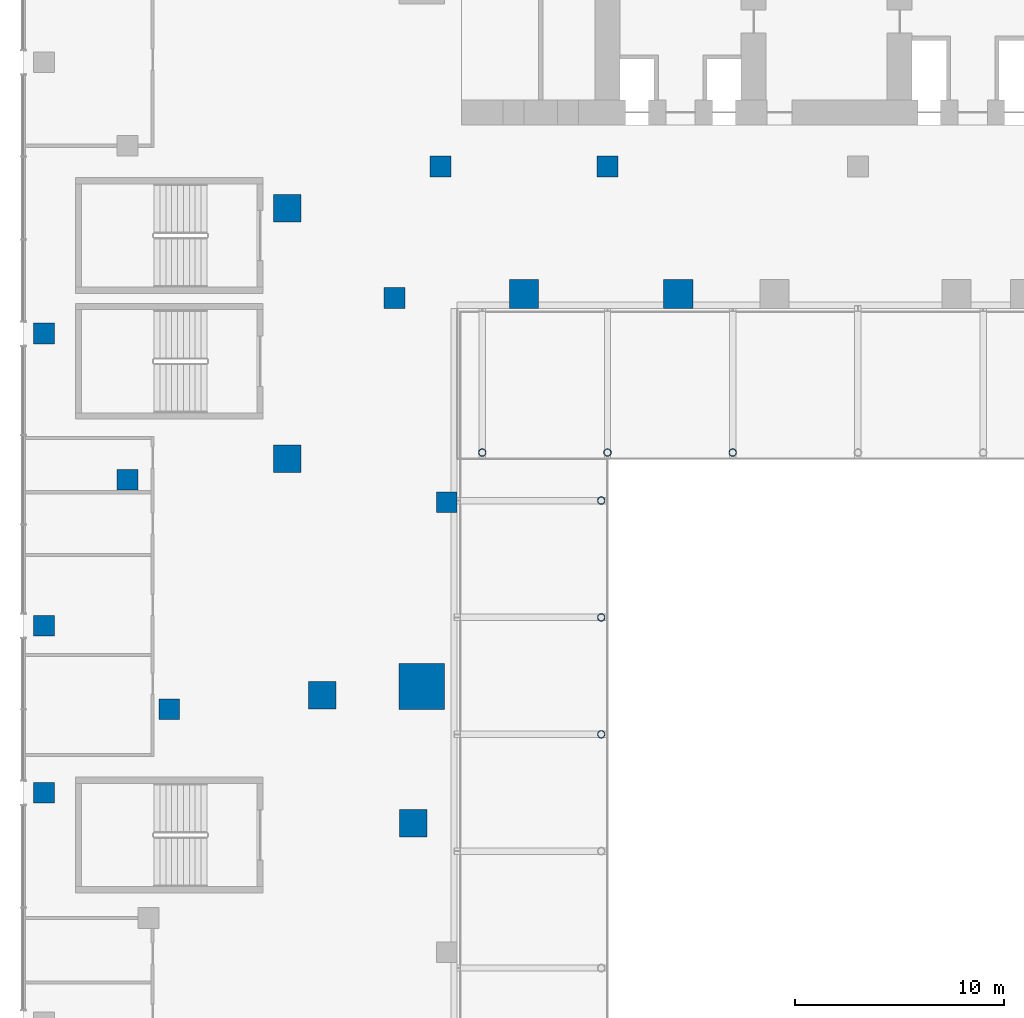
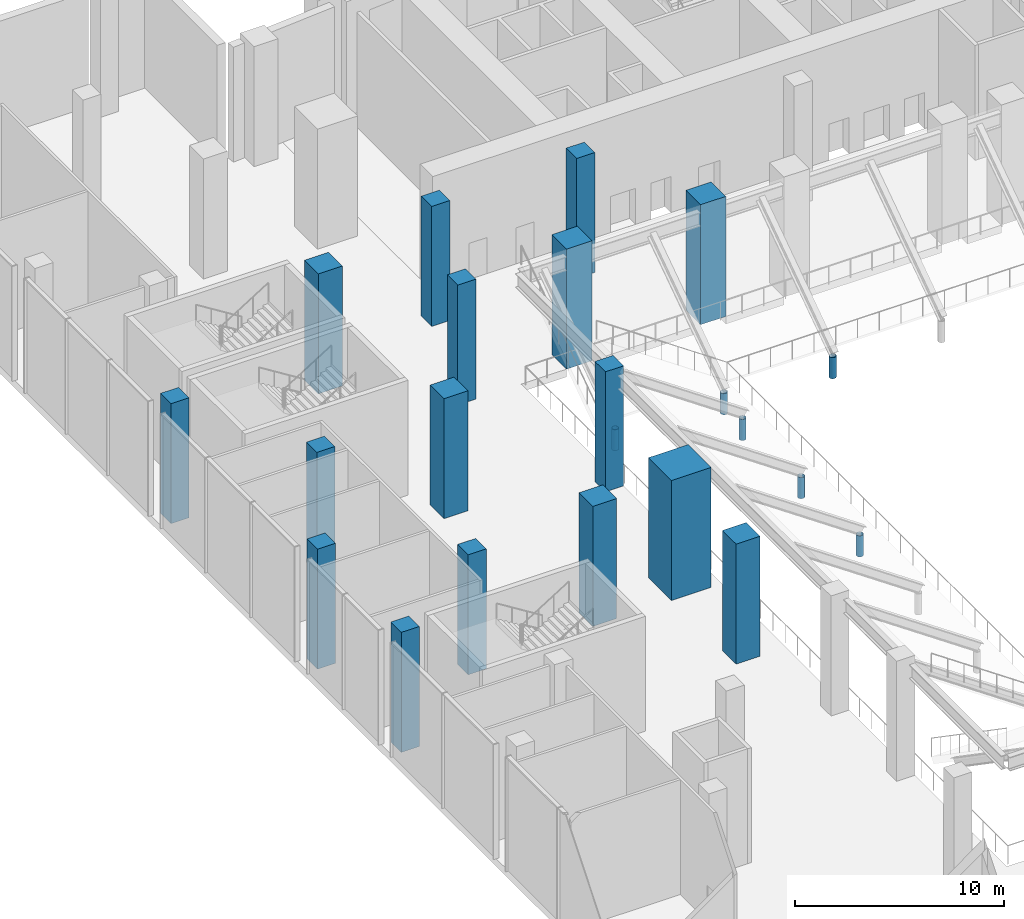
# One storey, part 3 of 41: 22 columns.
"""IFC4 building model written with IfcOpenShell, lengths in metres."""

import ifcopenshell
import ifcopenshell.guid

model = None  # the IFC model being written
_history = None  # IfcOwnerHistory: only IFC2X3 demands one
_inside = {}  # id of a spatial element -> (the spatial element, [elements in it])
_under = {}  # id of a project, library or spatial element -> (it, [spatial elements below it])
_declared = {}  # id of a project -> (the project, [libraries it declares])
_typed = {}  # id of a type object -> (the type object, [elements of that type])
_made_of = {}  # id of a material, layer set ... -> (it, [elements and type objects made of it])


def new_model(schema):
    """Start an empty IFC model of exactly this schema.

    Asked for "IFC4X3", IfcOpenShell would pick the latest addendum, in which some entities
    have other attributes; the version numbers below select the first issue.
    IFC2X3 requires an IfcOwnerHistory on every rooted entity: one is made here for all.
    """
    global model, _history
    if schema == "IFC4X3":
        model = ifcopenshell.file(schema_version=(4, 3, 0, 0))
    else:
        model = ifcopenshell.file(schema=schema)
    _inside.clear()
    _under.clear()
    _declared.clear()
    _typed.clear()
    _made_of.clear()
    _history = None
    if model.schema == "IFC2X3":
        org = make("IfcOrganization", Name="unknown")
        user = make(
            "IfcPersonAndOrganization",
            ThePerson=make("IfcPerson", FamilyName="unknown"),
            TheOrganization=org,
        )
        app = make(
            "IfcApplication",
            ApplicationDeveloper=org,
            Version="unknown",
            ApplicationFullName="unknown",
            ApplicationIdentifier="unknown",
        )
        _history = make(
            "IfcOwnerHistory",
            OwningUser=user,
            OwningApplication=app,
            ChangeAction="ADDED",
            CreationDate=0,
        )
    return model


def make(cls, **values):
    """One entity of the class cls with the attributes given. An attribute that is None is left unset."""
    return model.create_entity(
        cls, **{name: value for name, value in values.items() if value is not None}
    )


def rooted(cls, **values):
    """An entity with a GlobalId (a new one), such as an element, a storey or a relation."""
    return make(cls, GlobalId=ifcopenshell.guid.new(), OwnerHistory=_history, **values)


def si_unit(unit_type, name, prefix=None):
    """IfcSIUnit, for example si_unit("LENGTHUNIT", "METRE", prefix="MILLI")."""
    return make("IfcSIUnit", UnitType=unit_type, Prefix=prefix, Name=name)


def assignment(units):
    """IfcUnitAssignment: the units of a project."""
    return None if units is None else make("IfcUnitAssignment", Units=units)


def point(xyz):
    """IfcCartesianPoint."""
    return None if xyz is None else make("IfcCartesianPoint", Coordinates=xyz)


def direction(xyz):
    """IfcDirection."""
    return None if xyz is None else make("IfcDirection", DirectionRatios=xyz)


def frame(location, z_axis=None, x_axis=None):
    """IfcAxis2Placement3D, a coordinate frame: its origin and axes. An axis left out is left unset."""
    return make(
        "IfcAxis2Placement3D",
        Location=point(location),
        Axis=direction(z_axis),
        RefDirection=direction(x_axis),
    )


def frame_2d(location, x_axis=None):
    """IfcAxis2Placement2D, a coordinate frame in the plane: its origin and x axis."""
    return make(
        "IfcAxis2Placement2D", Location=point(location), RefDirection=direction(x_axis)
    )


def origin():
    """The frame at (0, 0, 0) with its axes left unset."""
    return frame((0.0, 0.0, 0.0))


def origin_2d():
    """The frame at (0, 0) in the plane with its x axis left unset."""
    return frame_2d((0.0, 0.0))


def place(relative_to, where):
    """IfcLocalPlacement: puts the frame where relative to a parent placement (None: the world)."""
    return make(
        "IfcLocalPlacement", PlacementRelTo=relative_to, RelativePlacement=where
    )


def context(
    kind, dimensions, precision=None, world=None, true_north=None, identifier=None
):
    """IfcGeometricRepresentationContext, for example the 3D "Model" context."""
    return make(
        "IfcGeometricRepresentationContext",
        ContextIdentifier=identifier,
        ContextType=kind,
        CoordinateSpaceDimension=dimensions,
        Precision=precision,
        WorldCoordinateSystem=world,
        TrueNorth=true_north,
    )


def subcontext(parent, identifier, kind, view, scale=None):
    """IfcGeometricRepresentationSubContext, for example "Body" below "Model"."""
    return make(
        "IfcGeometricRepresentationSubContext",
        ContextIdentifier=identifier,
        ContextType=kind,
        ParentContext=parent,
        TargetScale=scale,
        TargetView=view,
    )


def project(units=None, contexts=None):
    """IfcProject with its units and contexts."""
    return rooted(
        "IfcProject",
        Name="project",
        RepresentationContexts=contexts,
        UnitsInContext=assignment(units),
    )


def spatial(cls, under=None, at=None, **own):
    """A site, building, storey or space (cls), placed at a placement, below another one or the project."""
    s = rooted(cls, ObjectPlacement=at, **own)
    if under is not None:
        _under.setdefault(under.id(), (under, []))[1].append(s)
    return s


def profile(cls, at=None, kind="AREA", **sizes):
    """A parametric profile (cls). Its sizes go by their IFC names, for example OverallWidth=200.0."""
    return make(cls, ProfileType=kind, Position=at, **sizes)


def rectangle(**sizes):
    """IfcRectangleProfileDef."""
    return profile("IfcRectangleProfileDef", **sizes)


def hollow_circle(**sizes):
    """IfcCircleHollowProfileDef."""
    return profile("IfcCircleHollowProfileDef", **sizes)


def extrude(swept, where, along, depth):
    """IfcExtrudedAreaSolid: the profile swept, set in the frame where, extruded along a direction by depth."""
    return make(
        "IfcExtrudedAreaSolid",
        SweptArea=swept,
        Position=where,
        ExtrudedDirection=direction(along),
        Depth=depth,
    )


def shape(context_of_items, identifier, shape_type, items):
    """IfcShapeRepresentation: the items that make up one representation, for example the "Body"."""
    return make(
        "IfcShapeRepresentation",
        ContextOfItems=context_of_items,
        RepresentationIdentifier=identifier,
        RepresentationType=shape_type,
        Items=items,
    )


def material(Name=None, Category=None):
    """IfcMaterial."""
    return make("IfcMaterial", Name=Name, Category=Category)


def material_profile(
    of_material, cross_section, Name=None, Category=None, Priority=None
):
    """IfcMaterialProfile: a cross section and its material."""
    return make(
        "IfcMaterialProfile",
        Name=Name,
        Material=of_material,
        Profile=cross_section,
        Priority=Priority,
        Category=Category,
    )


def profile_set(profiles, Name=None, composite=None):
    """IfcMaterialProfileSet."""
    return make(
        "IfcMaterialProfileSet",
        Name=Name,
        MaterialProfiles=profiles,
        CompositeProfile=composite,
    )


def made_of(thing, what):
    """Note that an element or type object is made of a material, layer set ...; save() writes the relation."""
    if what is not None:
        _made_of.setdefault(what.id(), (what, []))[1].append(thing)
    return thing


def type_object(cls, material=None, **own):
    """A type object (cls), such as IfcWallType, which elements share."""
    return made_of(rooted(cls, **own), material)


def element(
    cls,
    number,
    at=None,
    inside=None,
    cuts=None,
    type_object=None,
    material=None,
    context=None,
    identifier="Body",
    shape_type=None,
    held_by="IfcProductDefinitionShape",
    body=None,
    shapes=None,
    **own,
):
    """One element of the class cls, such as IfcWall. Its Tag is "e" and its number.

    at: its placement. inside: the storey or other place that contains it. cuts: it is an
    opening in that element (IfcRelVoidsElement). A single representation is given by context,
    identifier, shape_type and body (its items); several are given by shapes. held_by: the class
    of the entity that holds the representations. save() writes the other relations.
    """
    e = rooted(cls, Tag="e%d" % number, ObjectPlacement=at, **own)
    if body is not None:
        shapes = [shape(context, identifier, shape_type, body)]
    if shapes is not None:
        e.Representation = make(held_by, Representations=shapes)
    if inside is not None:
        _inside.setdefault(inside.id(), (inside, []))[1].append(e)
    if cuts is not None:
        rooted(
            "IfcRelVoidsElement", RelatingBuildingElement=cuts, RelatedOpeningElement=e
        )
    if type_object is not None:
        _typed.setdefault(type_object.id(), (type_object, []))[1].append(e)
    return made_of(e, material)


def aggregate(whole, parts):
    """IfcRelAggregates: a whole, such as a stair, and the parts it consists of."""
    return rooted("IfcRelAggregates", RelatingObject=whole, RelatedObjects=parts)


def save(model, path):
    """Write the relations noted so far, then the file.

    IfcRelAggregates (storeys below a building ...), IfcRelContainedInSpatialStructure (elements
    in a storey), IfcRelDefinesByType, IfcRelAssociatesMaterial and IfcRelDeclares: one each for
    every whole, place, type object, material and project.
    """
    for whole, parts in _under.values():
        aggregate(whole, parts)
    for where, things in _inside.values():
        rooted(
            "IfcRelContainedInSpatialStructure",
            RelatedElements=things,
            RelatingStructure=where,
        )
    for kind, things in _typed.values():
        rooted("IfcRelDefinesByType", RelatedObjects=things, RelatingType=kind)
    for what, things in _made_of.values():
        rooted("IfcRelAssociatesMaterial", RelatedObjects=things, RelatingMaterial=what)
    for by, libraries in _declared.values():
        rooted("IfcRelDeclares", RelatingContext=by, RelatedDefinitions=libraries)
    model.write(path)


model = new_model("IFC4")

# Units and contexts
model_context = context("Model", 3, precision=1e-05, world=origin(), true_north=direction((0.0, 1.0)))
body_context = subcontext(model_context, "Body", "Model", "MODEL_VIEW")
ifc_project = project(units=[si_unit("LENGTHUNIT", "METRE"), si_unit("AREAUNIT", "SQUARE_METRE"), si_unit("VOLUMEUNIT", "CUBIC_METRE"), si_unit("PLANEANGLEUNIT", "RADIAN"), si_unit("MASSUNIT", "GRAM", prefix="KILO")], contexts=[model_context])

# Site, building, storey
site_placement = place(None, origin())
site = spatial("IfcSite", under=ifc_project, at=site_placement, CompositionType="ELEMENT")
building_placement = place(site_placement, origin())
building = spatial("IfcBuilding", under=site, at=building_placement, Name="Wharfspan Tower", CompositionType="ELEMENT")
storey_placement = place(building_placement, frame((0.0, 0.0, 8.0)))
storey = spatial("IfcBuildingStorey", under=building, at=storey_placement, Name="L01", CompositionType="ELEMENT", Elevation=8.0)

# Columns
ifc_material_1 = material(Name="Concrete C60/75", Category="concrete")
ifc_material_profile_1 = material_profile(ifc_material_1, rectangle(XDim=1.0, YDim=1.0, at=origin_2d()))
ifc_profile_set_1 = profile_set([ifc_material_profile_1], Name="Concrete C60/75")
column_type_1 = type_object("IfcColumnType", Name="Concrete column 1000 square", PredefinedType="COLUMN", material=ifc_profile_set_1)
for number, where, z_axis, x_axis, name in (
    (1, (5.800049, 25.699951, 0.0), (0.0, 0.0, 1.0), (1.0, 0.0, 0.0), "Column G.N2"),
    (2, (8.300049, 15.919922, 0.0), (0.0, 0.0, 1.0), (1.0, 0.0, 0.0), "Column G.W5"),
    (3, (-11.0, 10.0, 0.0), (0.0, 0.0, 1.0), (1.0, 0.0, 0.0), "Column D.12"),
    (4, (-11.0, 24.0, 0.0), (0.0, 0.0, 1.0), (1.0, 0.0, 0.0), "Column D.14"),
    (5, (16.0, 32.0, 0.0), (0.0, 0.0, 1.0), (1.0, 0.0, 0.0), "Column D.47"),
    (6, (-11.0, 2.0, 0.0), (0.0, 0.0, 1.0), (1.0, 0.0, 0.0), "Column D.48"),
    (7, (-7.0, 17.0, 0.0), (0.0, 0.0, 1.0), (1.0, 0.0, 0.0), "Column D.49"),
    (8, (8.0, 32.0, 0.0), (0.0, 0.0, 1.0), (1.0, 0.0, 0.0), "Column D.50"),
    (9, (-5.0, 6.0, 0.0), (0.0, 0.0, 1.0), (1.0, 0.0, 0.0), "Column D.56"),
):
    element("IfcColumn", number, at=place(storey_placement, frame(where, z_axis=z_axis, x_axis=x_axis)), inside=storey, type_object=column_type_1, Name=name, PredefinedType="COLUMN", context=body_context, shape_type="SweptSolid", body=[
        extrude(rectangle(XDim=1.0, YDim=1.0, at=origin_2d()), origin(), (0.0, 0.0, 1.0), 7.0),
    ])
ifc_material_profile_2 = material_profile(ifc_material_1, rectangle(XDim=1.320068, YDim=1.320068, at=origin_2d()))
ifc_profile_set_2 = profile_set([ifc_material_profile_2], Name="Concrete C60/75")
column_type_2 = type_object("IfcColumnType", Name="Concrete column 1320 square", PredefinedType="COLUMN", material=ifc_profile_set_2)
for number, where, z_axis, x_axis, name in (
    (10, (6.694336, 0.528564, 0.0), (0.0, 0.0, 1.0), (1.0, 0.0, 0.0), "Column T.PS1.1"),
    (11, (0.659912, 30.0, 0.0), (0.0, 0.0, 1.0), (1.0, 0.0, 0.0), "Column T.PW.1"),
    (12, (0.659912, 18.0, 0.0), (0.0, 0.0, 1.0), (1.0, 0.0, 0.0), "Column T.PW.2"),
    (13, (2.331787, 6.66748, 0.0), (0.0, 0.0, 1.0), (1.0, 0.0, 0.0), "Column T.PW.3"),
):
    element("IfcColumn", number, at=place(storey_placement, frame(where, z_axis=z_axis, x_axis=x_axis)), inside=storey, type_object=column_type_2, Name=name, PredefinedType="COLUMN", context=body_context, shape_type="SweptSolid", body=[
        extrude(rectangle(XDim=1.320068, YDim=1.320068, at=origin_2d()), origin(), (0.0, 0.0, 1.0), 7.0),
    ])
ifc_material_profile_3 = material_profile(ifc_material_1, rectangle(XDim=1.399902, YDim=1.399902, at=origin_2d()))
ifc_profile_set_3 = profile_set([ifc_material_profile_3], Name="Concrete C60/75")
column_type_3 = type_object("IfcColumnType", Name="Concrete column 1400 square", PredefinedType="COLUMN", material=ifc_profile_set_3)
for number, where, z_axis, x_axis, name in (
    (14, (12.0, 25.899902, 0.0), (0.0, 0.0, 1.0), (1.0, 0.0, 0.0), "Column RN.1"),
    (15, (19.391113, 25.899902, 0.0), (0.0, 0.0, 1.0), (1.0, 0.0, 0.0), "Column RN.2"),
):
    element("IfcColumn", number, at=place(storey_placement, frame(where, z_axis=z_axis, x_axis=x_axis)), inside=storey, type_object=column_type_3, Name=name, PredefinedType="COLUMN", context=body_context, shape_type="SweptSolid", body=[
        extrude(rectangle(XDim=1.399902, YDim=1.399902, at=origin_2d()), origin(), (0.0, 0.0, 1.0), 7.0),
    ])
ifc_material_profile_4 = material_profile(ifc_material_1, rectangle(XDim=2.199951, YDim=2.199951, at=origin_2d()))
ifc_profile_set_4 = profile_set([ifc_material_profile_4], Name="Concrete C60/75")
column_type_4 = type_object("IfcColumnType", Name="Concrete column 2200 square", PredefinedType="COLUMN", material=ifc_profile_set_4)
column_placement = place(storey_placement, frame((7.100098, 7.100098, 0.0), z_axis=(0.0, 0.0, 1.0), x_axis=(1.0, 0.0, 0.0)))
element("IfcColumn", 16, at=column_placement, inside=storey, type_object=column_type_4, Name="Column T.MC1", PredefinedType="COLUMN", context=body_context, shape_type="SweptSolid", body=[
    extrude(rectangle(XDim=2.199951, YDim=2.199951, at=origin_2d()), origin(), (0.0, 0.0, 1.0), 7.0),
])
ifc_material_2 = material(Name="Steel S460NH", Category="steel")
ifc_material_profile_5 = material_profile(ifc_material_2, hollow_circle(Radius=0.177734, WallThickness=0.016113, at=origin_2d()))
ifc_profile_set_5 = profile_set([ifc_material_profile_5], Name="Steel S460NH")
column_type_5 = type_object("IfcColumnType", Name="Tier column CHS 356x16", PredefinedType="COLUMN", material=ifc_profile_set_5)
for number, where, z_axis, x_axis, name in (
    (17, (10.0, 18.300049, 0.0), (0.0, 0.0, 1.0), (1.0, 0.0, 0.0), "Upper tier column"),
    (18, (16.0, 18.300049, 0.0), (0.0, 0.0, 1.0), (1.0, 0.0, 0.0), "Upper tier column"),
    (19, (22.0, 18.300049, 0.0), (0.0, 0.0, 1.0), (1.0, 0.0, 0.0), "Upper tier column"),
    (20, (15.699951, 4.800049, 0.0), (0.0, 0.0, 1.0), (1.0, 0.0, 0.0), "Upper tier column"),
    (21, (15.699951, 10.399902, 0.0), (0.0, 0.0, 1.0), (1.0, 0.0, 0.0), "Upper tier column"),
    (22, (15.699951, 16.0, 0.0), (0.0, 0.0, 1.0), (1.0, 0.0, 0.0), "Upper tier column"),
):
    element("IfcColumn", number, at=place(storey_placement, frame(where, z_axis=z_axis, x_axis=x_axis)), inside=storey, type_object=column_type_5, Name=name, PredefinedType="COLUMN", context=body_context, shape_type="SweptSolid", body=[
        extrude(hollow_circle(Radius=0.177734, WallThickness=0.016113, at=origin_2d()), origin(), (0.0, 0.0, 1.0), 1.229248),
    ])

save(model, "model.ifc")
